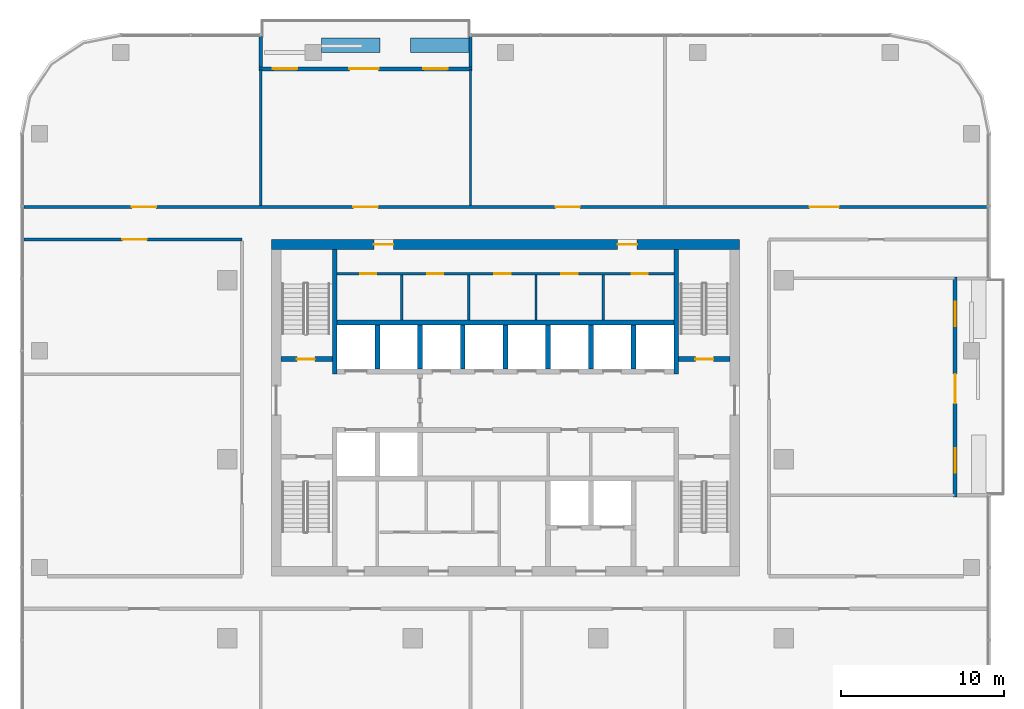
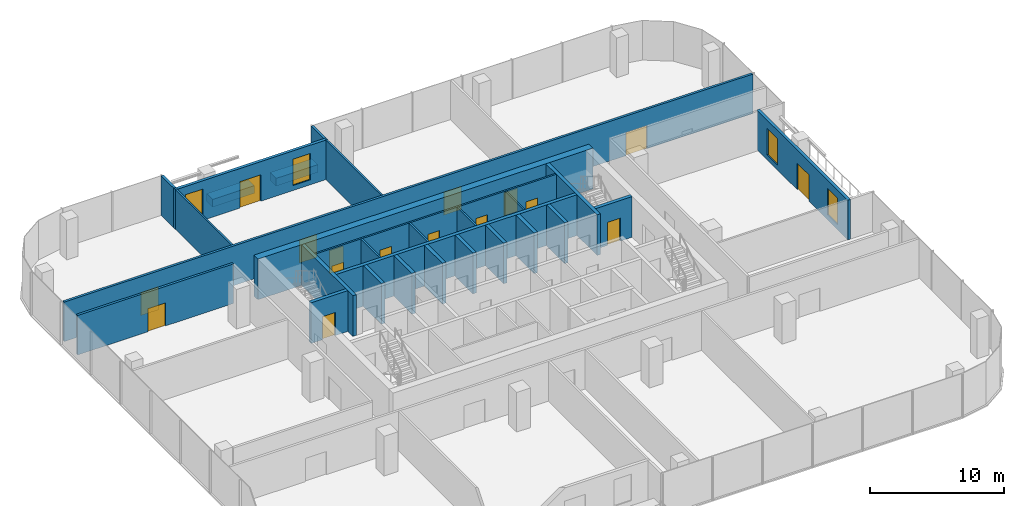
# One storey, part 9 of 13: 28 walls, 16 doors, 4 windows, 20 openings.
"""IFC4 building model written with IfcOpenShell, lengths in metres."""

from ifc_helpers import new_model, si_unit, direction, frame, frame_2d, origin, place, context, subcontext, project, spatial, rectangle, extrude, material, layer, layer_set, type_object, element, fill, save


model = new_model("IFC4")

# Units and contexts
model_context = context("Model", 3, precision=1e-05, world=origin(), true_north=direction((0.0, 1.0)))
body_context = subcontext(model_context, "Body", "Model", "MODEL_VIEW")
ifc_project = project(units=[si_unit("LENGTHUNIT", "METRE"), si_unit("AREAUNIT", "SQUARE_METRE"), si_unit("VOLUMEUNIT", "CUBIC_METRE"), si_unit("PLANEANGLEUNIT", "RADIAN"), si_unit("MASSUNIT", "GRAM", prefix="KILO")], contexts=[model_context])

# Site, building, storey
site_placement = place(None, origin())
site = spatial("IfcSite", under=ifc_project, at=site_placement, CompositionType="ELEMENT")
building_placement = place(site_placement, origin())
building = spatial("IfcBuilding", under=site, at=building_placement, Name="Mopane Tessera Tower", CompositionType="ELEMENT")
storey_placement = place(building_placement, frame((0.0, 0.0, 295.39990234375)))
storey = spatial("IfcBuildingStorey", under=building, at=storey_placement, Name="L64", CompositionType="ELEMENT", Elevation=295.39990234375)

# Walls
ifc_material_1 = material(Name="Fire-rated gypsum board partition")
ifc_layer_1 = layer(ifc_material_1, 0.14990234375)
ifc_layer_set_1 = layer_set([ifc_layer_1], Name="Fire-rated gypsum board partition")
wall_type_1 = type_object("IfcWallType", Name="Core room partition 150 mm", PredefinedType="PARTITIONING", material=ifc_layer_set_1)
for number, where, z_axis, x_axis, name in (
    (1, (-6.375, 8.550048828125, 0.0), (0.0, 0.0, 1.0), (0.0, 1.0, 0.0), "L64 Room partition"),
    (2, (-2.25, 8.550048828125, 0.0), (0.0, 0.0, 1.0), (0.0, 1.0, 0.0), "L64 Room partition"),
    (3, (1.875, 8.550048828125, 0.0), (0.0, 0.0, 1.0), (0.0, 1.0, 0.0), "L64 Room partition"),
    (4, (6.0, 8.550048828125, 0.0), (0.0, 0.0, 1.0), (0.0, 1.0, 0.0), "L64 Room partition"),
):
    element("IfcWall", number, at=place(storey_placement, frame(where, z_axis=z_axis, x_axis=x_axis)), inside=storey, type_object=wall_type_1, Name=name, PredefinedType="PARTITIONING", context=body_context, shape_type="SweptSolid", body=[
        extrude(rectangle(XDim=2.77490234375, YDim=0.14990234375, at=frame_2d((1.387451171875, 0.0))), origin(), (0.0, 0.0, 1.0), 3.7001953125),
    ])

# Wall, openings, doors
wall_1_placement = place(storey_placement, frame((-10.35009765625, 11.39990234375, 0.0), z_axis=(0.0, 0.0, 1.0), x_axis=(1.0, 0.0, 0.0)))
wall_1 = element("IfcWall", 5, at=wall_1_placement, inside=storey, type_object=wall_type_1, Name="L64 Corridor wall", PredefinedType="PARTITIONING", context=body_context, shape_type="SweptSolid", body=[
    extrude(rectangle(XDim=20.7001953125, YDim=0.14990234375, at=frame_2d((10.35009765625, 0.0))), origin(), (0.0, 0.0, 1.0), 3.7001953125),
])
opening_1_placement = place(wall_1_placement, frame((1.41259765625, 0.0, 0.0)))
opening_1 = element("IfcOpeningElement", 6, at=opening_1_placement, cuts=wall_1, Name="Opening RD1", PredefinedType="OPENING", context=body_context, shape_type="SweptSolid", body=[
    extrude(rectangle(XDim=1.0, YDim=2.10009765625, at=frame_2d((0.5, 1.050048828125))), frame((0.0, 0.0869140625, 0.0), z_axis=(0.0, -1.0, 0.0), x_axis=(1.0, 0.0, 0.0)), (0.0, 0.0, 1.0), 0.173828125),
])
opening_2_placement = place(wall_1_placement, frame((5.53759765625, 0.0, 0.0)))
opening_2 = element("IfcOpeningElement", 7, at=opening_2_placement, cuts=wall_1, Name="Opening RD1", PredefinedType="OPENING", context=body_context, shape_type="SweptSolid", body=[
    extrude(rectangle(XDim=1.0, YDim=2.10009765625, at=frame_2d((0.5, 1.050048828125))), frame((0.0, 0.0869140625, 0.0), z_axis=(0.0, -1.0, 0.0), x_axis=(1.0, 0.0, 0.0)), (0.0, 0.0, 1.0), 0.173828125),
])
opening_3_placement = place(wall_1_placement, frame((9.66259765625, 0.0, 0.0)))
opening_3 = element("IfcOpeningElement", 8, at=opening_3_placement, cuts=wall_1, Name="Opening RD1", PredefinedType="OPENING", context=body_context, shape_type="SweptSolid", body=[
    extrude(rectangle(XDim=1.0, YDim=2.10009765625, at=frame_2d((0.5, 1.050048828125))), frame((0.0, 0.0869140625, 0.0), z_axis=(0.0, -1.0, 0.0), x_axis=(1.0, 0.0, 0.0)), (0.0, 0.0, 1.0), 0.173828125),
])
opening_4_placement = place(wall_1_placement, frame((13.78759765625, 0.0, 0.0)))
opening_4 = element("IfcOpeningElement", 9, at=opening_4_placement, cuts=wall_1, Name="Opening RD1", PredefinedType="OPENING", context=body_context, shape_type="SweptSolid", body=[
    extrude(rectangle(XDim=1.0, YDim=2.10009765625, at=frame_2d((0.5, 1.050048828125))), frame((0.0, 0.0869140625, 0.0), z_axis=(0.0, -1.0, 0.0), x_axis=(1.0, 0.0, 0.0)), (0.0, 0.0, 1.0), 0.173828125),
])
opening_5_placement = place(wall_1_placement, frame((18.10009765625, 0.0, 0.0)))
opening_5 = element("IfcOpeningElement", 10, at=opening_5_placement, cuts=wall_1, Name="Opening RD1", PredefinedType="OPENING", context=body_context, shape_type="SweptSolid", body=[
    extrude(rectangle(XDim=1.0, YDim=2.10009765625, at=frame_2d((0.5, 1.050048828125))), frame((0.0, 0.0869140625, 0.0), z_axis=(0.0, -1.0, 0.0), x_axis=(1.0, 0.0, 0.0)), (0.0, 0.0, 1.0), 0.173828125),
])
ifc_material_2 = material(Name="Timber door", Category="wood")
door_type_1 = type_object("IfcDoorType", Name="Core room door 1000 x 2100", OperationType="SINGLE_SWING_LEFT", PredefinedType="DOOR", material=ifc_material_2)
door_1_placement = place(opening_1_placement, origin())
door_1 = element("IfcDoor", 11, at=door_1_placement, inside=storey, type_object=door_type_1, Name="L64 Room door", OperationType="SINGLE_SWING_LEFT", OverallHeight=2.10009765625, OverallWidth=1.0, PredefinedType="DOOR", context=body_context, shape_type="SweptSolid", body=[
    extrude(rectangle(XDim=1.0, YDim=2.10009765625, at=frame_2d((0.5, 1.050048828125))), frame((0.0, 0.02490234375, 0.0), z_axis=(0.0, -1.0, 0.0), x_axis=(1.0, 0.0, 0.0)), (0.0, 0.0, 1.0), 0.050048828125),
])
fill(opening_1, door_1)
door_2_placement = place(opening_2_placement, origin())
door_2 = element("IfcDoor", 12, at=door_2_placement, inside=storey, type_object=door_type_1, Name="L64 Room door", OperationType="SINGLE_SWING_LEFT", OverallHeight=2.10009765625, OverallWidth=1.0, PredefinedType="DOOR", context=body_context, shape_type="SweptSolid", body=[
    extrude(rectangle(XDim=1.0, YDim=2.10009765625, at=frame_2d((0.5, 1.050048828125))), frame((0.0, 0.02490234375, 0.0), z_axis=(0.0, -1.0, 0.0), x_axis=(1.0, 0.0, 0.0)), (0.0, 0.0, 1.0), 0.050048828125),
])
fill(opening_2, door_2)
door_3_placement = place(opening_3_placement, origin())
door_3 = element("IfcDoor", 13, at=door_3_placement, inside=storey, type_object=door_type_1, Name="L64 Room door", OperationType="SINGLE_SWING_LEFT", OverallHeight=2.10009765625, OverallWidth=1.0, PredefinedType="DOOR", context=body_context, shape_type="SweptSolid", body=[
    extrude(rectangle(XDim=1.0, YDim=2.10009765625, at=frame_2d((0.5, 1.050048828125))), frame((0.0, 0.02490234375, 0.0), z_axis=(0.0, -1.0, 0.0), x_axis=(1.0, 0.0, 0.0)), (0.0, 0.0, 1.0), 0.050048828125),
])
fill(opening_3, door_3)
door_4_placement = place(opening_4_placement, origin())
door_4 = element("IfcDoor", 14, at=door_4_placement, inside=storey, type_object=door_type_1, Name="L64 Room door", OperationType="SINGLE_SWING_LEFT", OverallHeight=2.10009765625, OverallWidth=1.0, PredefinedType="DOOR", context=body_context, shape_type="SweptSolid", body=[
    extrude(rectangle(XDim=1.0, YDim=2.10009765625, at=frame_2d((0.5, 1.050048828125))), frame((0.0, 0.02490234375, 0.0), z_axis=(0.0, -1.0, 0.0), x_axis=(1.0, 0.0, 0.0)), (0.0, 0.0, 1.0), 0.050048828125),
])
fill(opening_4, door_4)
door_5_placement = place(opening_5_placement, origin())
door_5 = element("IfcDoor", 15, at=door_5_placement, inside=storey, type_object=door_type_1, Name="L64 Room door", OperationType="SINGLE_SWING_LEFT", OverallHeight=2.10009765625, OverallWidth=1.0, PredefinedType="DOOR", context=body_context, shape_type="SweptSolid", body=[
    extrude(rectangle(XDim=1.0, YDim=2.10009765625, at=frame_2d((0.5, 1.050048828125))), frame((0.0, 0.02490234375, 0.0), z_axis=(0.0, -1.0, 0.0), x_axis=(1.0, 0.0, 0.0)), (0.0, 0.0, 1.0), 0.050048828125),
])
fill(opening_5, door_5)

ifc_material_3 = material(Name="Concrete C70/85", Category="concrete")
ifc_layer_2 = layer(ifc_material_3, 0.60009765625)
ifc_layer_set_2 = layer_set([ifc_layer_2], Name="Concrete C70/85")
wall_type_2 = type_object("IfcWallType", Name="Core shear wall 600 mm", PredefinedType="SHEAR", material=ifc_layer_set_2)
wall_2_placement = place(storey_placement, frame((-14.39990234375, 13.199951171875, 0.0), z_axis=(0.0, 0.0, 1.0), x_axis=(1.0, 0.0, 0.0)))
wall_2 = element("IfcWall", 16, at=wall_2_placement, inside=storey, type_object=wall_type_2, Name="L64 Core wall north", PredefinedType="SHEAR", context=body_context, shape_type="SweptSolid", body=[
    extrude(rectangle(XDim=28.7998046875, YDim=0.60009765625, at=frame_2d((14.39990234375, 0.0))), origin(), (0.0, 0.0, 1.0), 3.7001953125),
])
opening_6_placement = place(wall_2_placement, frame((6.300048828125, 0.0, 0.0)))
opening_6 = element("IfcOpeningElement", 17, at=opening_6_placement, cuts=wall_2, Name="Opening RD2", PredefinedType="OPENING", context=body_context, shape_type="SweptSolid", body=[
    extrude(rectangle(XDim=1.199951171875, YDim=2.10009765625, at=frame_2d((0.60009765625, 1.050048828125))), frame((0.0, 0.31201171875, 0.0), z_axis=(0.0, -1.0, 0.0), x_axis=(1.0, 0.0, 0.0)), (0.0, 0.0, 1.0), 0.6240234375),
])
opening_7_placement = place(wall_2_placement, frame((21.300048828125, 0.0, 0.0)))
opening_7 = element("IfcOpeningElement", 18, at=opening_7_placement, cuts=wall_2, Name="Opening RD2", PredefinedType="OPENING", context=body_context, shape_type="SweptSolid", body=[
    extrude(rectangle(XDim=1.199951171875, YDim=2.10009765625, at=frame_2d((0.60009765625, 1.050048828125))), frame((0.0, 0.31201171875, 0.0), z_axis=(0.0, -1.0, 0.0), x_axis=(1.0, 0.0, 0.0)), (0.0, 0.0, 1.0), 0.6240234375),
])
ifc_material_4 = material(Name="Timber door", Category="wood")
door_type_2 = type_object("IfcDoorType", Name="Core corridor door 1200 x 2100", OperationType="SINGLE_SWING_LEFT", PredefinedType="DOOR", material=ifc_material_4)
door_6_placement = place(opening_6_placement, origin())
door_6 = element("IfcDoor", 19, at=door_6_placement, inside=storey, type_object=door_type_2, Name="L64 Corridor door", OperationType="SINGLE_SWING_LEFT", OverallHeight=2.10009765625, OverallWidth=1.199951171875, PredefinedType="DOOR", context=body_context, shape_type="SweptSolid", body=[
    extrude(rectangle(XDim=1.199951171875, YDim=2.10009765625, at=frame_2d((0.60009765625, 1.050048828125))), frame((0.0, 0.02490234375, 0.0), z_axis=(0.0, -1.0, 0.0), x_axis=(1.0, 0.0, 0.0)), (0.0, 0.0, 1.0), 0.050048828125),
])
fill(opening_6, door_6)
door_7_placement = place(opening_7_placement, origin())
door_7 = element("IfcDoor", 20, at=door_7_placement, inside=storey, type_object=door_type_2, Name="L64 Corridor door", OperationType="SINGLE_SWING_RIGHT", OverallHeight=2.10009765625, OverallWidth=1.199951171875, PredefinedType="DOOR", context=body_context, shape_type="SweptSolid", body=[
    extrude(rectangle(XDim=1.199951171875, YDim=2.10009765625, at=frame_2d((0.60009765625, 1.050048828125))), frame((0.0, 0.02490234375, 0.0), z_axis=(0.0, -1.0, 0.0), x_axis=(1.0, 0.0, 0.0)), (0.0, 0.0, 1.0), 0.050048828125),
])
fill(opening_7, door_7)

# Walls
ifc_material_5 = material(Name="Concrete C60/75", Category="concrete")
ifc_layer_3 = layer(ifc_material_5, 0.300048828125)
ifc_layer_set_3 = layer_set([ifc_layer_3], Name="Concrete C60/75")
wall_type_3 = type_object("IfcWallType", Name="Core spine wall 300 mm", PredefinedType="SHEAR", material=ifc_layer_set_3)
for number, where, z_axis, x_axis, name in (
    (21, (-10.5, 5.25, 0.0), (0.0, 0.0, 1.0), (0.0, 1.0, 0.0), "L64 Core spine wall"),
    (22, (10.5, 5.25, 0.0), (0.0, 0.0, 1.0), (0.0, 1.0, 0.0), "L64 Core spine wall"),
):
    element("IfcWall", number, at=place(storey_placement, frame(where, z_axis=z_axis, x_axis=x_axis)), inside=storey, type_object=wall_type_3, Name=name, PredefinedType="SHEAR", context=body_context, shape_type="SweptSolid", body=[
        extrude(rectangle(XDim=7.64990234375, YDim=0.300048828125, at=frame_2d((3.824951171875, 0.0))), origin(), (0.0, 0.0, 1.0), 3.7001953125),
    ])

# Wall, opening, door
ifc_material_6 = material(Name="Gypsum board on steel studs, two layers each face, mineral wool infill", Category="steel")
ifc_layer_4 = layer(ifc_material_6, 0.199951171875)
ifc_layer_set_4 = layer_set([ifc_layer_4], Name="Gypsum board on steel studs, two layers each face, mineral wool infill")
wall_type_4 = type_object("IfcWallType", Name="Gypsum board corridor wall 200, rated EI 60", PredefinedType="PARTITIONING", material=ifc_layer_set_4)
wall_3_placement = place(storey_placement, frame((-29.60009765625, 13.5, 0.0), z_axis=(0.0, 0.0, 1.0), x_axis=(1.0, 0.0, 0.0)))
wall_3 = element("IfcWall", 23, at=wall_3_placement, inside=storey, type_object=wall_type_4, Name="Partition L64:006", PredefinedType="PARTITIONING", context=body_context, shape_type="SweptSolid", body=[
    extrude(rectangle(XDim=13.400146484375, YDim=0.199951171875, at=frame_2d((6.7001953125, 0.0))), origin(), (0.0, 0.0, 1.0), 3.60009765625),
])
opening_8_placement = place(wall_3_placement, frame((6.050048828125, 0.0, 0.0)))
opening_8 = element("IfcOpeningElement", 24, at=opening_8_placement, cuts=wall_3, Name="Opening L64-05", PredefinedType="OPENING", context=body_context, shape_type="SweptSolid", body=[
    extrude(rectangle(XDim=1.5, YDim=2.10009765625, at=frame_2d((0.75, 1.050048828125))), frame((0.0, 0.112060546875, 0.0), z_axis=(0.0, -1.0, 0.0), x_axis=(1.0, 0.0, 0.0)), (0.0, 0.0, 1.0), 0.223876953125),
])
ifc_material_7 = material(Name="Timber veneered steel-framed fire door", Category="steel")
door_type_3 = type_object("IfcDoorType", Name="Fire door pair FD60 1500 x 2100", OperationType="DOUBLE_DOOR_SINGLE_SWING", PredefinedType="DOOR", material=ifc_material_7)
door_8_placement = place(opening_8_placement, origin())
door_8 = element("IfcDoor", 25, at=door_8_placement, inside=storey, type_object=door_type_3, Name="Door L64-05", ObjectType="D17A", OperationType="DOUBLE_DOOR_SINGLE_SWING", OverallHeight=2.10009765625, OverallWidth=1.5, PredefinedType="DOOR", context=body_context, shape_type="SweptSolid", body=[
    extrude(rectangle(XDim=1.5, YDim=2.10009765625, at=frame_2d((0.75, 1.050048828125))), frame((0.0, 0.02490234375, 0.0), z_axis=(0.0, -1.0, 0.0), x_axis=(1.0, 0.0, 0.0)), (0.0, 0.0, 1.0), 0.050048828125),
])
fill(opening_8, door_8)

# Wall, openings, doors
wall_4_placement = place(storey_placement, frame((-29.60009765625, 15.5, 0.0), z_axis=(0.0, 0.0, 1.0), x_axis=(1.0, 0.0, 0.0)))
wall_4 = element("IfcWall", 26, at=wall_4_placement, inside=storey, type_object=wall_type_4, Name="Partition L64:008", PredefinedType="PARTITIONING", context=body_context, shape_type="SweptSolid", body=[
    extrude(rectangle(XDim=59.2001953125, YDim=0.199951171875, at=frame_2d((29.60009765625, 0.0))), origin(), (0.0, 0.0, 1.0), 3.60009765625),
])
opening_9_placement = place(wall_4_placement, frame((48.300048828125, 0.0, 0.0)))
opening_9 = element("IfcOpeningElement", 27, at=opening_9_placement, cuts=wall_4, Name="Opening L64-01", PredefinedType="OPENING", context=body_context, shape_type="SweptSolid", body=[
    extrude(rectangle(XDim=1.800048828125, YDim=2.10009765625, at=frame_2d((0.89990234375, 1.050048828125))), frame((0.0, 0.112060546875, 0.0), z_axis=(0.0, -1.0, 0.0), x_axis=(1.0, 0.0, 0.0)), (0.0, 0.0, 1.0), 0.223876953125),
])
opening_10_placement = place(wall_4_placement, frame((32.675048828125, 0.0, 0.0)))
opening_10 = element("IfcOpeningElement", 28, at=opening_10_placement, cuts=wall_4, Name="Opening L64-02", PredefinedType="OPENING", context=body_context, shape_type="SweptSolid", body=[
    extrude(rectangle(XDim=1.5, YDim=2.10009765625, at=frame_2d((0.75, 1.050048828125))), frame((0.0, 0.112060546875, 0.0), z_axis=(0.0, -1.0, 0.0), x_axis=(1.0, 0.0, 0.0)), (0.0, 0.0, 1.0), 0.223876953125),
])
opening_11_placement = place(wall_4_placement, frame((6.625, 0.0, 0.0)))
opening_11 = element("IfcOpeningElement", 29, at=opening_11_placement, cuts=wall_4, Name="Opening L64-06", PredefinedType="OPENING", context=body_context, shape_type="SweptSolid", body=[
    extrude(rectangle(XDim=1.5, YDim=2.10009765625, at=frame_2d((0.75, 1.050048828125))), frame((0.0, 0.112060546875, 0.0), z_axis=(0.0, -1.0, 0.0), x_axis=(1.0, 0.0, 0.0)), (0.0, 0.0, 1.0), 0.223876953125),
])
opening_12_placement = place(wall_4_placement, frame((20.25, 0.0, 0.0)))
opening_12 = element("IfcOpeningElement", 30, at=opening_12_placement, cuts=wall_4, Name="Opening L64-10", PredefinedType="OPENING", context=body_context, shape_type="SweptSolid", body=[
    extrude(rectangle(XDim=1.5, YDim=2.10009765625, at=frame_2d((0.75, 1.050048828125))), frame((0.0, 0.112060546875, 0.0), z_axis=(0.0, -1.0, 0.0), x_axis=(1.0, 0.0, 0.0)), (0.0, 0.0, 1.0), 0.223876953125),
])
door_9_placement = place(opening_10_placement, origin())
door_9 = element("IfcDoor", 31, at=door_9_placement, inside=storey, type_object=door_type_3, Name="Door L64-02", ObjectType="D17A", OperationType="DOUBLE_DOOR_SINGLE_SWING", OverallHeight=2.10009765625, OverallWidth=1.5, PredefinedType="DOOR", context=body_context, shape_type="SweptSolid", body=[
    extrude(rectangle(XDim=1.5, YDim=2.10009765625, at=frame_2d((0.75, 1.050048828125))), frame((0.0, 0.02490234375, 0.0), z_axis=(0.0, -1.0, 0.0), x_axis=(1.0, 0.0, 0.0)), (0.0, 0.0, 1.0), 0.050048828125),
])
fill(opening_10, door_9)
door_10_placement = place(opening_11_placement, origin())
door_10 = element("IfcDoor", 32, at=door_10_placement, inside=storey, type_object=door_type_3, Name="Door L64-06", ObjectType="D17A", OperationType="DOUBLE_DOOR_SINGLE_SWING", OverallHeight=2.10009765625, OverallWidth=1.5, PredefinedType="DOOR", context=body_context, shape_type="SweptSolid", body=[
    extrude(rectangle(XDim=1.5, YDim=2.10009765625, at=frame_2d((0.75, 1.050048828125))), frame((0.0, 0.02490234375, 0.0), z_axis=(0.0, -1.0, 0.0), x_axis=(1.0, 0.0, 0.0)), (0.0, 0.0, 1.0), 0.050048828125),
])
fill(opening_11, door_10)
door_11_placement = place(opening_12_placement, origin())
door_11 = element("IfcDoor", 33, at=door_11_placement, inside=storey, type_object=door_type_3, Name="Door L64-10", ObjectType="D17A", OperationType="DOUBLE_DOOR_SINGLE_SWING", OverallHeight=2.10009765625, OverallWidth=1.5, PredefinedType="DOOR", context=body_context, shape_type="SweptSolid", body=[
    extrude(rectangle(XDim=1.5, YDim=2.10009765625, at=frame_2d((0.75, 1.050048828125))), frame((0.0, 0.02490234375, 0.0), z_axis=(0.0, -1.0, 0.0), x_axis=(1.0, 0.0, 0.0)), (0.0, 0.0, 1.0), 0.050048828125),
])
fill(opening_12, door_11)
ifc_material_8 = material(Name="Timber veneered steel-framed fire door", Category="steel")
door_type_4 = type_object("IfcDoorType", Name="Fire door pair FD60 1800 x 2100", OperationType="DOUBLE_DOOR_SINGLE_SWING", PredefinedType="DOOR", material=ifc_material_8)
door_12_placement = place(opening_9_placement, origin())
door_12 = element("IfcDoor", 34, at=door_12_placement, inside=storey, type_object=door_type_4, Name="Door L64-01", ObjectType="D20A", OperationType="DOUBLE_DOOR_SINGLE_SWING", OverallHeight=2.10009765625, OverallWidth=1.800048828125, PredefinedType="DOOR", context=body_context, shape_type="SweptSolid", body=[
    extrude(rectangle(XDim=1.800048828125, YDim=2.10009765625, at=frame_2d((0.89990234375, 1.050048828125))), frame((0.0, 0.02490234375, 0.0), z_axis=(0.0, -1.0, 0.0), x_axis=(1.0, 0.0, 0.0)), (0.0, 0.0, 1.0), 0.050048828125),
])
fill(opening_9, door_12)

# Walls
ifc_material_9 = material(Name="Gypsum board on steel studs, mineral wool infill", Category="steel")
ifc_layer_5 = layer(ifc_material_9, 0.14990234375)
ifc_layer_set_5 = layer_set([ifc_layer_5], Name="Gypsum board on steel studs, mineral wool infill")
wall_type_5 = type_object("IfcWallType", Name="Gypsum board partition 150, rated EI 60", PredefinedType="PARTITIONING", material=ifc_layer_set_5)
for number, where, z_axis, x_axis, name in (
    (35, (-15.050048828125, 15.60009765625, 0.0), (0.0, 0.0, 1.0), (0.0, 1.0, 0.0), "Partition L64:010"),
    (36, (-2.14990234375, 15.60009765625, 0.0), (0.0, 0.0, 1.0), (0.0, 1.0, 0.0), "Partition L64:012"),
):
    element("IfcWall", number, at=place(storey_placement, frame(where, z_axis=z_axis, x_axis=x_axis)), inside=storey, type_object=wall_type_5, Name=name, PredefinedType="PARTITIONING", context=body_context, shape_type="SweptSolid", body=[
        extrude(rectangle(XDim=8.349853515625, YDim=0.14990234375, at=frame_2d((4.1748046875, 0.0))), origin(), (0.0, 0.0, 1.0), 3.60009765625),
    ])

# Wall, opening, door
ifc_material_10 = material(Name="Concrete C50/60", Category="concrete")
ifc_layer_6 = layer(ifc_material_10, 0.300048828125)
ifc_layer_set_6 = layer_set([ifc_layer_6], Name="Concrete C50/60")
wall_type_6 = type_object("IfcWallType", Name="Lift and stair shaft wall 300 mm", PredefinedType="SOLIDWALL", material=ifc_layer_set_6)
wall_5_placement = place(storey_placement, frame((-13.800048828125, 6.14990234375, 0.0), z_axis=(0.0, 0.0, 1.0), x_axis=(1.0, 0.0, 0.0)))
wall_5 = element("IfcWall", 37, at=wall_5_placement, inside=storey, type_object=wall_type_6, Name="L64 Stair enclosure wall", PredefinedType="SOLIDWALL", context=body_context, shape_type="SweptSolid", body=[
    extrude(rectangle(XDim=3.150146484375, YDim=0.300048828125, at=frame_2d((1.5751953125, 0.0))), origin(), (0.0, 0.0, 1.0), 3.7001953125),
])
opening_13_placement = place(wall_5_placement, frame((0.97509765625, 0.0, 0.0)))
opening_13 = element("IfcOpeningElement", 38, at=opening_13_placement, cuts=wall_5, Name="Opening SD1", PredefinedType="OPENING", context=body_context, shape_type="SweptSolid", body=[
    extrude(rectangle(XDim=1.10009765625, YDim=2.10009765625, at=frame_2d((0.550048828125, 1.050048828125))), frame((0.0, 0.162109375, 0.0), z_axis=(0.0, -1.0, 0.0), x_axis=(1.0, 0.0, 0.0)), (0.0, 0.0, 1.0), 0.323974609375),
])
ifc_material_11 = material(Name="Steel fire door", Category="steel")
door_type_5 = type_object("IfcDoorType", Name="Stair fire door 1100 x 2100", OperationType="SINGLE_SWING_LEFT", PredefinedType="DOOR", material=ifc_material_11)
door_13_placement = place(opening_13_placement, origin())
door_13 = element("IfcDoor", 39, at=door_13_placement, inside=storey, type_object=door_type_5, Name="L64 Stair door ST2", OperationType="SINGLE_SWING_LEFT", OverallHeight=2.10009765625, OverallWidth=1.10009765625, PredefinedType="DOOR", context=body_context, shape_type="SweptSolid", body=[
    extrude(rectangle(XDim=1.10009765625, YDim=2.10009765625, at=frame_2d((0.550048828125, 1.050048828125))), frame((0.0, 0.02490234375, 0.0), z_axis=(0.0, -1.0, 0.0), x_axis=(1.0, 0.0, 0.0)), (0.0, 0.0, 1.0), 0.050048828125),
])
fill(opening_13, door_13)

wall_6_placement = place(storey_placement, frame((10.64990234375, 6.14990234375, 0.0), z_axis=(0.0, 0.0, 1.0), x_axis=(1.0, 0.0, 0.0)))
wall_6 = element("IfcWall", 40, at=wall_6_placement, inside=storey, type_object=wall_type_6, Name="L64 Stair enclosure wall", PredefinedType="SOLIDWALL", context=body_context, shape_type="SweptSolid", body=[
    extrude(rectangle(XDim=3.150146484375, YDim=0.300048828125, at=frame_2d((1.5751953125, 0.0))), origin(), (0.0, 0.0, 1.0), 3.7001953125),
])
opening_14_placement = place(wall_6_placement, frame((1.02490234375, 0.0, 0.0)))
opening_14 = element("IfcOpeningElement", 41, at=opening_14_placement, cuts=wall_6, Name="Opening SD1", PredefinedType="OPENING", context=body_context, shape_type="SweptSolid", body=[
    extrude(rectangle(XDim=1.10009765625, YDim=2.10009765625, at=frame_2d((0.550048828125, 1.050048828125))), frame((0.0, 0.162109375, 0.0), z_axis=(0.0, -1.0, 0.0), x_axis=(1.0, 0.0, 0.0)), (0.0, 0.0, 1.0), 0.323974609375),
])
door_14_placement = place(opening_14_placement, origin())
door_14 = element("IfcDoor", 42, at=door_14_placement, inside=storey, type_object=door_type_5, Name="L64 Stair door ST4", OperationType="SINGLE_SWING_RIGHT", OverallHeight=2.10009765625, OverallWidth=1.10009765625, PredefinedType="DOOR", context=body_context, shape_type="SweptSolid", body=[
    extrude(rectangle(XDim=1.10009765625, YDim=2.10009765625, at=frame_2d((0.550048828125, 1.050048828125))), frame((0.0, 0.02490234375, 0.0), z_axis=(0.0, -1.0, 0.0), x_axis=(1.0, 0.0, 0.0)), (0.0, 0.0, 1.0), 0.050048828125),
])
fill(opening_14, door_14)

# Walls
wall_7_placement = place(storey_placement, frame((-10.35009765625, 8.39990234375, 0.0), z_axis=(0.0, 0.0, 1.0), x_axis=(1.0, 0.0, 0.0)))
element("IfcWall", 43, at=wall_7_placement, inside=storey, type_object=wall_type_6, Name="L64 Lift shaft rear wall", PredefinedType="SOLIDWALL", context=body_context, shape_type="SweptSolid", body=[
    extrude(rectangle(XDim=20.7001953125, YDim=0.300048828125, at=frame_2d((10.35009765625, 0.0))), origin(), (0.0, 0.0, 1.0), 3.7001953125),
])
for number, where, z_axis, x_axis, name in (
    (44, (-7.875, 5.550048828125, 0.0), (0.0, 0.0, 1.0), (0.0, 1.0, 0.0), "L64 Lift shaft wall"),
    (45, (-5.25, 5.550048828125, 0.0), (0.0, 0.0, 1.0), (0.0, 1.0, 0.0), "L64 Lift shaft wall"),
    (46, (-2.625, 5.550048828125, 0.0), (0.0, 0.0, 1.0), (0.0, 1.0, 0.0), "L64 Lift shaft wall"),
    (47, (0.0, 5.550048828125, 0.0), (0.0, 0.0, 1.0), (0.0, 1.0, 0.0), "L64 Lift shaft wall"),
    (48, (2.625, 5.550048828125, 0.0), (0.0, 0.0, 1.0), (0.0, 1.0, 0.0), "L64 Lift shaft wall"),
    (49, (5.25, 5.550048828125, 0.0), (0.0, 0.0, 1.0), (0.0, 1.0, 0.0), "L64 Lift shaft wall"),
    (50, (7.875, 5.550048828125, 0.0), (0.0, 0.0, 1.0), (0.0, 1.0, 0.0), "L64 Lift shaft wall"),
):
    element("IfcWall", number, at=place(storey_placement, frame(where, z_axis=z_axis, x_axis=x_axis)), inside=storey, type_object=wall_type_6, Name=name, PredefinedType="SOLIDWALL", context=body_context, shape_type="SweptSolid", body=[
        extrude(rectangle(XDim=2.699951171875, YDim=0.300048828125, at=frame_2d((1.35009765625, 0.0))), origin(), (0.0, 0.0, 1.0), 3.7001953125),
    ])
ifc_material_12 = material(Name="Reinforced concrete C32/40 with waterproofing", Category="concrete")
ifc_layer_7 = layer(ifc_material_12, 0.89990234375)
ifc_layer_set_7 = layer_set([ifc_layer_7], Name="Reinforced concrete C32/40 with waterproofing")
wall_type_7 = type_object("IfcWallType", Name="Planter trough 3600 x 900", PredefinedType="STANDARD", material=ifc_layer_set_7)
for number, where, z_axis, x_axis, name in (
    (51, (-2.25, 25.449951171875, 0.0), (0.0, 0.0, 1.0), (-1.0, 0.0, 0.0), "e:nw:L64:N2:pl0"),
    (52, (-7.704833984375, 25.449951171875, 0.0), (0.0, 0.0, 1.0), (-1.0, 0.0, 0.0), "e:nw:L64:N2:pl1"),
):
    element("IfcWall", number, at=place(storey_placement, frame(where, z_axis=z_axis, x_axis=x_axis)), inside=storey, type_object=wall_type_7, Name=name, PredefinedType="STANDARD", context=body_context, shape_type="SweptSolid", body=[
        extrude(rectangle(XDim=3.60009765625, YDim=0.89990234375, at=frame_2d((1.800048828125, 0.0))), origin(), (0.0, 0.0, 1.0), 0.7001953125),
    ])
ifc_material_13 = material(Name="Blockwork with glazed tile facing", Category="masonry")
ifc_layer_8 = layer(ifc_material_13, 0.199951171875)
ifc_layer_set_8 = layer_set([ifc_layer_8], Name="Blockwork with glazed tile facing")
wall_type_8 = type_object("IfcWallType", Name="Terrace cheek wall 200", PredefinedType="STANDARD", material=ifc_layer_set_8)
for number, where, z_axis, x_axis, name in (
    (53, (-2.14990234375, 26.0, 0.0), (0.0, 0.0, 1.0), (0.0, -1.0, 0.0), "e:nw:L64:N2:cheeka"),
    (54, (-15.050048828125, 26.0, 0.0), (0.0, 0.0, 1.0), (0.0, -1.0, 0.0), "e:nw:L64:N2:cheekb"),
):
    element("IfcWall", number, at=place(storey_placement, frame(where, z_axis=z_axis, x_axis=x_axis)), inside=storey, type_object=wall_type_8, Name=name, PredefinedType="STANDARD", context=body_context, shape_type="SweptSolid", body=[
        extrude(rectangle(XDim=1.875, YDim=0.199951171875, at=frame_2d((0.9375, 0.0))), origin(), (0.0, 0.0, 1.0), 3.60009765625),
    ])

# Wall, openings, windows, door
ifc_material_14 = material(Name="Blockwork with ultramarine glazed tile facing", Category="masonry")
ifc_layer_9 = layer(ifc_material_14, 0.25)
ifc_layer_set_9 = layer_set([ifc_layer_9], Name="Blockwork with ultramarine glazed tile facing")
wall_type_9 = type_object("IfcWallType", Name="Tile-clad external wall 250, ultramarine", PredefinedType="STANDARD", material=ifc_layer_set_9)
wall_8_placement = place(storey_placement, frame((27.64990234375, -2.322265625, 0.0), z_axis=(0.0, 0.0, 1.0), x_axis=(0.0, 1.0, 0.0)))
wall_8 = element("IfcWall", 55, at=wall_8_placement, inside=storey, type_object=wall_type_9, Name="e:nw:L64:N1:back", PredefinedType="STANDARD", context=body_context, shape_type="SweptSolid", body=[
    extrude(rectangle(XDim=13.533447265625, YDim=0.25, at=frame_2d((6.7666015625, 0.0))), origin(), (0.0, 0.0, 1.0), 3.60009765625),
])
opening_15_placement = place(wall_8_placement, frame((1.5, 0.0, 0.449951171875)))
opening_15 = element("IfcOpeningElement", 56, at=opening_15_placement, cuts=wall_8, Name="Opening NW641A", PredefinedType="OPENING", context=body_context, shape_type="SweptSolid", body=[
    extrude(rectangle(XDim=1.5, YDim=2.39990234375, at=frame_2d((0.75, 1.199951171875))), frame((0.0, 0.136962890625, 0.0), z_axis=(0.0, -1.0, 0.0), x_axis=(1.0, 0.0, 0.0)), (0.0, 0.0, 1.0), 0.27392578125),
])
opening_16_placement = place(wall_8_placement, frame((5.75, 0.0, 0.0)))
opening_16 = element("IfcOpeningElement", 57, at=opening_16_placement, cuts=wall_8, Name="Opening ND641", PredefinedType="OPENING", context=body_context, shape_type="SweptSolid", body=[
    extrude(rectangle(XDim=1.800048828125, YDim=2.39990234375, at=frame_2d((0.89990234375, 1.199951171875))), frame((0.0, 0.136962890625, 0.0), z_axis=(0.0, -1.0, 0.0), x_axis=(1.0, 0.0, 0.0)), (0.0, 0.0, 1.0), 0.27392578125),
])
opening_17_placement = place(wall_8_placement, frame((10.5, 0.0, 0.449951171875)))
opening_17 = element("IfcOpeningElement", 58, at=opening_17_placement, cuts=wall_8, Name="Opening NW641B", PredefinedType="OPENING", context=body_context, shape_type="SweptSolid", body=[
    extrude(rectangle(XDim=1.5, YDim=2.39990234375, at=frame_2d((0.75, 1.199951171875))), frame((0.0, 0.136962890625, 0.0), z_axis=(0.0, -1.0, 0.0), x_axis=(1.0, 0.0, 0.0)), (0.0, 0.0, 1.0), 0.27392578125),
])
ifc_material_15 = material(Name="Clear laminated glass", Category="glass")
window_type = type_object("IfcWindowType", Name="Fixed window 1500 x 2400", PartitioningType="SINGLE_PANEL", PredefinedType="WINDOW", material=ifc_material_15)
window_1_placement = place(opening_15_placement, origin())
window_1 = element("IfcWindow", 59, at=window_1_placement, inside=storey, type_object=window_type, Name="e:nw:L64:N1:win0", OverallHeight=2.39990234375, OverallWidth=1.5, PartitioningType="SINGLE_PANEL", PredefinedType="WINDOW", context=body_context, shape_type="SweptSolid", body=[
    extrude(rectangle(XDim=1.5, YDim=2.39990234375, at=frame_2d((0.75, 1.199951171875))), frame((0.0, 0.030029296875, 0.0), z_axis=(0.0, -1.0, 0.0), x_axis=(1.0, 0.0, 0.0)), (0.0, 0.0, 1.0), 0.06005859375),
])
fill(opening_15, window_1)
window_2_placement = place(opening_17_placement, origin())
window_2 = element("IfcWindow", 60, at=window_2_placement, inside=storey, type_object=window_type, Name="e:nw:L64:N1:win2", OverallHeight=2.39990234375, OverallWidth=1.5, PartitioningType="SINGLE_PANEL", PredefinedType="WINDOW", context=body_context, shape_type="SweptSolid", body=[
    extrude(rectangle(XDim=1.5, YDim=2.39990234375, at=frame_2d((0.75, 1.199951171875))), frame((0.0, 0.030029296875, 0.0), z_axis=(0.0, -1.0, 0.0), x_axis=(1.0, 0.0, 0.0)), (0.0, 0.0, 1.0), 0.06005859375),
])
fill(opening_17, window_2)
ifc_material_16 = material(Name="Aluminium and clear glass", Category="aluminium")
door_type_6 = type_object("IfcDoorType", Name="Terrace double door 1800 x 2400", OperationType="DOUBLE_DOOR_SINGLE_SWING", PredefinedType="DOOR", material=ifc_material_16)
door_15_placement = place(opening_16_placement, origin())
door_15 = element("IfcDoor", 61, at=door_15_placement, inside=storey, type_object=door_type_6, Name="e:nw:L64:N1:door", ObjectType="D1", OperationType="DOUBLE_DOOR_SINGLE_SWING", OverallHeight=2.39990234375, OverallWidth=1.800048828125, PredefinedType="DOOR", context=body_context, shape_type="SweptSolid", body=[
    extrude(rectangle(XDim=1.800048828125, YDim=2.39990234375, at=frame_2d((0.89990234375, 1.199951171875))), frame((0.0, 0.02490234375, 0.0), z_axis=(0.0, -1.0, 0.0), x_axis=(1.0, 0.0, 0.0)), (0.0, 0.0, 1.0), 0.050048828125),
])
fill(opening_16, door_15)

wall_9_placement = place(storey_placement, frame((-2.050048828125, 24.0, 0.0), z_axis=(0.0, 0.0, 1.0), x_axis=(-1.0, 0.0, 0.0)))
wall_9 = element("IfcWall", 62, at=wall_9_placement, inside=storey, type_object=wall_type_9, Name="e:nw:L64:N2:back", PredefinedType="STANDARD", context=body_context, shape_type="SweptSolid", body=[
    extrude(rectangle(XDim=13.099853515625, YDim=0.25, at=frame_2d((6.5498046875, 0.0))), origin(), (0.0, 0.0, 1.0), 3.60009765625),
])
opening_18_placement = place(wall_9_placement, frame((1.5, 0.0, 0.449951171875)))
opening_18 = element("IfcOpeningElement", 63, at=opening_18_placement, cuts=wall_9, Name="Opening NW642A", PredefinedType="OPENING", context=body_context, shape_type="SweptSolid", body=[
    extrude(rectangle(XDim=1.5, YDim=2.39990234375, at=frame_2d((0.75, 1.199951171875))), frame((0.0, 0.136962890625, 0.0), z_axis=(0.0, -1.0, 0.0), x_axis=(1.0, 0.0, 0.0)), (0.0, 0.0, 1.0), 0.27392578125),
])
opening_19_placement = place(wall_9_placement, frame((5.75, 0.0, 0.0)))
opening_19 = element("IfcOpeningElement", 64, at=opening_19_placement, cuts=wall_9, Name="Opening ND642", PredefinedType="OPENING", context=body_context, shape_type="SweptSolid", body=[
    extrude(rectangle(XDim=1.800048828125, YDim=2.39990234375, at=frame_2d((0.89990234375, 1.199951171875))), frame((0.0, 0.136962890625, 0.0), z_axis=(0.0, -1.0, 0.0), x_axis=(1.0, 0.0, 0.0)), (0.0, 0.0, 1.0), 0.27392578125),
])
opening_20_placement = place(wall_9_placement, frame((10.75, 0.0, 0.449951171875)))
opening_20 = element("IfcOpeningElement", 65, at=opening_20_placement, cuts=wall_9, Name="Opening NW642B", PredefinedType="OPENING", context=body_context, shape_type="SweptSolid", body=[
    extrude(rectangle(XDim=1.5, YDim=2.39990234375, at=frame_2d((0.75, 1.199951171875))), frame((0.0, 0.136962890625, 0.0), z_axis=(0.0, -1.0, 0.0), x_axis=(1.0, 0.0, 0.0)), (0.0, 0.0, 1.0), 0.27392578125),
])
window_3_placement = place(opening_18_placement, origin())
window_3 = element("IfcWindow", 66, at=window_3_placement, inside=storey, type_object=window_type, Name="e:nw:L64:N2:win0", OverallHeight=2.39990234375, OverallWidth=1.5, PartitioningType="SINGLE_PANEL", PredefinedType="WINDOW", context=body_context, shape_type="SweptSolid", body=[
    extrude(rectangle(XDim=1.5, YDim=2.39990234375, at=frame_2d((0.75, 1.199951171875))), frame((0.0, 0.030029296875, 0.0), z_axis=(0.0, -1.0, 0.0), x_axis=(1.0, 0.0, 0.0)), (0.0, 0.0, 1.0), 0.06005859375),
])
fill(opening_18, window_3)
window_4_placement = place(opening_20_placement, origin())
window_4 = element("IfcWindow", 67, at=window_4_placement, inside=storey, type_object=window_type, Name="e:nw:L64:N2:win2", OverallHeight=2.39990234375, OverallWidth=1.5, PartitioningType="SINGLE_PANEL", PredefinedType="WINDOW", context=body_context, shape_type="SweptSolid", body=[
    extrude(rectangle(XDim=1.5, YDim=2.39990234375, at=frame_2d((0.75, 1.199951171875))), frame((0.0, 0.030029296875, 0.0), z_axis=(0.0, -1.0, 0.0), x_axis=(1.0, 0.0, 0.0)), (0.0, 0.0, 1.0), 0.06005859375),
])
fill(opening_20, window_4)
door_16_placement = place(opening_19_placement, origin())
door_16 = element("IfcDoor", 68, at=door_16_placement, inside=storey, type_object=door_type_6, Name="e:nw:L64:N2:door", ObjectType="D1", OperationType="DOUBLE_DOOR_SINGLE_SWING", OverallHeight=2.39990234375, OverallWidth=1.800048828125, PredefinedType="DOOR", context=body_context, shape_type="SweptSolid", body=[
    extrude(rectangle(XDim=1.800048828125, YDim=2.39990234375, at=frame_2d((0.89990234375, 1.199951171875))), frame((0.0, 0.02490234375, 0.0), z_axis=(0.0, -1.0, 0.0), x_axis=(1.0, 0.0, 0.0)), (0.0, 0.0, 1.0), 0.050048828125),
])
fill(opening_19, door_16)

save(model, "model.ifc")
